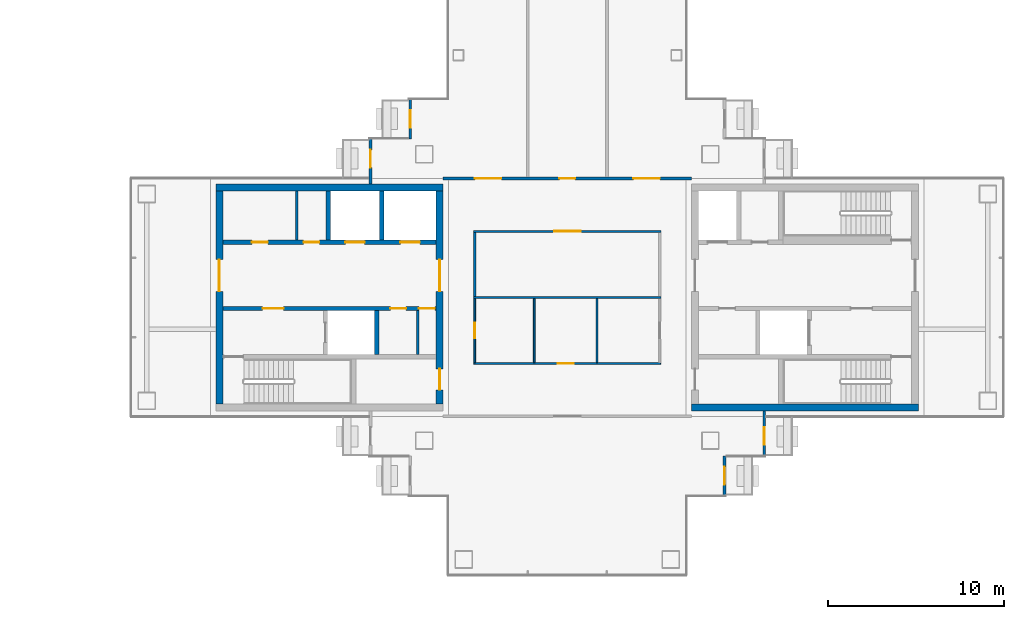
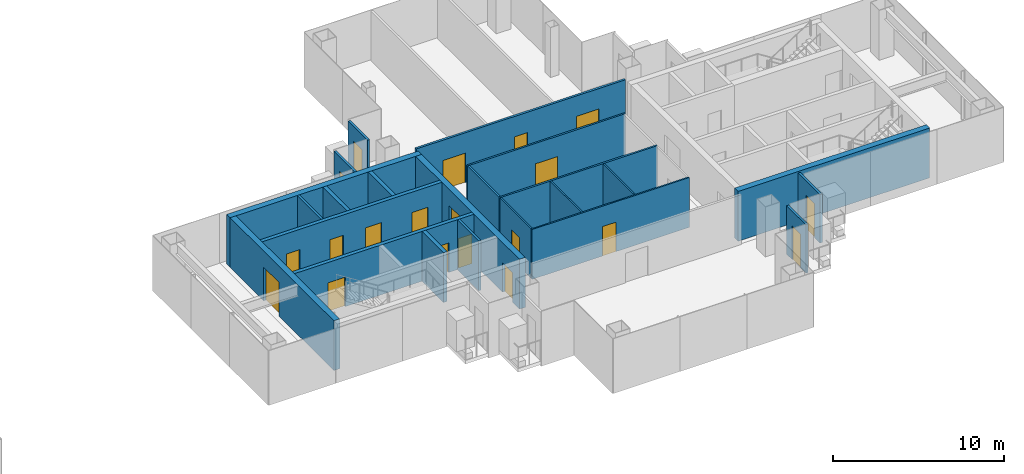
# One storey, part 11 of 16: 23 walls, 20 doors, 20 openings.
"""IFC4 building model written with IfcOpenShell, lengths in metres."""

from ifc_helpers import new_model, si_unit, direction, frame, frame_2d, origin, place, context, subcontext, project, spatial, rectangle, extrude, material, layer, layer_set, type_object, element, fill, save


model = new_model("IFC4")

# Units and contexts
model_context = context("Model", 3, precision=1e-05, world=origin(), true_north=direction((0.0, 1.0)))
body_context = subcontext(model_context, "Body", "Model", "MODEL_VIEW")
ifc_project = project(units=[si_unit("LENGTHUNIT", "METRE"), si_unit("AREAUNIT", "SQUARE_METRE"), si_unit("VOLUMEUNIT", "CUBIC_METRE"), si_unit("PLANEANGLEUNIT", "RADIAN"), si_unit("MASSUNIT", "GRAM", prefix="KILO")], contexts=[model_context])

# Site, building, storey
site_placement = place(None, origin())
site = spatial("IfcSite", under=ifc_project, at=site_placement, CompositionType="ELEMENT")
building_placement = place(site_placement, origin())
building = spatial("IfcBuilding", under=site, at=building_placement, Name="Shamsa Quay Exchange Towers", CompositionType="ELEMENT")
storey_placement = place(building_placement, frame((0.0, 0.0, 190.5)))
storey = spatial("IfcBuildingStorey", under=building, at=storey_placement, Name="L45", CompositionType="ELEMENT", Elevation=190.5)

# Wall, opening, door
ifc_material_1 = material(Name="Aluminium EN AW-6063 T6, black anodised, with black enamelled glass infill", Category="aluminium")
ifc_layer_1 = layer(ifc_material_1, 0.14990234375)
ifc_layer_set_1 = layer_set([ifc_layer_1], Name="BALCONY DOOR BAY WALL 150")
wall_type_1 = type_object("IfcWallType", Name="BALCONY DOOR BAY WALL 150", PredefinedType="SOLIDWALL", material=ifc_layer_set_1)
wall_1_placement = place(storey_placement, frame((24.824951171875, 9.0, 0.0), z_axis=(0.0, 0.0, 1.0), x_axis=(0.0, 1.0, 0.0)))
wall_1 = element("IfcWall", 1, at=wall_1_placement, inside=storey, type_object=wall_type_1, Name="Door bay T2-PKEN L45", PredefinedType="SOLIDWALL", context=body_context, shape_type="SweptSolid", body=[
    extrude(rectangle(XDim=2.25, YDim=0.14990234375, at=frame_2d((1.125, 0.0))), origin(), (0.0, 0.0, 1.0), 3.449951171875),
])
opening_1_placement = place(wall_1_placement, frame((0.625, 0.0, 0.0)))
opening_1 = element("IfcOpeningElement", 2, at=opening_1_placement, cuts=wall_1, Name="Opening XD289", PredefinedType="OPENING", context=body_context, shape_type="SweptSolid", body=[
    extrude(rectangle(XDim=1.0, YDim=2.39990234375, at=frame_2d((0.5, 1.199951171875))), frame((0.0, 0.0849609375, 0.0), z_axis=(0.0, -1.0, 0.0), x_axis=(1.0, 0.0, 0.0)), (0.0, 0.0, 1.0), 0.169921875),
])
ifc_material_2 = material(Name="Aluminium EN AW-6063 T6, black anodised, with laminated glass leaf", Category="aluminium")
door_type_1 = type_object("IfcDoorType", Name="BALCONY DOOR 1000x2400", OperationType="SINGLE_SWING_LEFT", PredefinedType="DOOR", material=ifc_material_2)
door_1_placement = place(opening_1_placement, origin())
door_1 = element("IfcDoor", 3, at=door_1_placement, inside=storey, type_object=door_type_1, Name="Balcony door T2-PKEN L45", OperationType="SINGLE_SWING_RIGHT", OverallHeight=2.39990234375, OverallWidth=1.0, PredefinedType="DOOR", context=body_context, shape_type="SweptSolid", body=[
    extrude(rectangle(XDim=1.0, YDim=2.39990234375, at=frame_2d((0.5, 1.199951171875))), frame((0.0, 0.02490234375, 0.0), z_axis=(0.0, -1.0, 0.0), x_axis=(1.0, 0.0, 0.0)), (0.0, 0.0, 1.0), 0.050048828125),
])
fill(opening_1, door_1)

wall_2_placement = place(storey_placement, frame((22.574951171875, 6.447998046875, 0.0), z_axis=(0.0, 0.0, 1.0), x_axis=(0.0, 1.0, 0.0)))
wall_2 = element("IfcWall", 4, at=wall_2_placement, inside=storey, type_object=wall_type_1, Name="Door bay T2-PKEN L45", PredefinedType="SOLIDWALL", context=body_context, shape_type="SweptSolid", body=[
    extrude(rectangle(XDim=2.552001953125, YDim=0.14990234375, at=frame_2d((1.27587890625, 0.0))), origin(), (0.0, 0.0, 1.0), 3.449951171875),
])
opening_2_placement = place(wall_2_placement, frame((0.927001953125, 0.0, 0.0)))
opening_2 = element("IfcOpeningElement", 5, at=opening_2_placement, cuts=wall_2, Name="Opening XD290", PredefinedType="OPENING", context=body_context, shape_type="SweptSolid", body=[
    extrude(rectangle(XDim=1.0, YDim=2.39990234375, at=frame_2d((0.5, 1.199951171875))), frame((0.0, 0.0849609375, 0.0), z_axis=(0.0, -1.0, 0.0), x_axis=(1.0, 0.0, 0.0)), (0.0, 0.0, 1.0), 0.169921875),
])
door_2_placement = place(opening_2_placement, origin())
door_2 = element("IfcDoor", 6, at=door_2_placement, inside=storey, type_object=door_type_1, Name="Balcony door T2-PKEN L45", OperationType="SINGLE_SWING_LEFT", OverallHeight=2.39990234375, OverallWidth=1.0, PredefinedType="DOOR", context=body_context, shape_type="SweptSolid", body=[
    extrude(rectangle(XDim=1.0, YDim=2.39990234375, at=frame_2d((0.5, 1.199951171875))), frame((0.0, 0.02490234375, 0.0), z_axis=(0.0, -1.0, 0.0), x_axis=(1.0, 0.0, 0.0)), (0.0, 0.0, 1.0), 0.050048828125),
])
fill(opening_2, door_2)

wall_3_placement = place(storey_placement, frame((42.675048828125, -9.0, 0.0), z_axis=(0.0, 0.0, 1.0), x_axis=(0.0, -1.0, 0.0)))
wall_3 = element("IfcWall", 7, at=wall_3_placement, inside=storey, type_object=wall_type_1, Name="Door bay T2-PKWS L45", PredefinedType="SOLIDWALL", context=body_context, shape_type="SweptSolid", body=[
    extrude(rectangle(XDim=2.25, YDim=0.14990234375, at=frame_2d((1.125, 0.0))), origin(), (0.0, 0.0, 1.0), 3.449951171875),
])
opening_3_placement = place(wall_3_placement, frame((0.625, 0.0, 0.0)))
opening_3 = element("IfcOpeningElement", 8, at=opening_3_placement, cuts=wall_3, Name="Opening XD295", PredefinedType="OPENING", context=body_context, shape_type="SweptSolid", body=[
    extrude(rectangle(XDim=1.0, YDim=2.39990234375, at=frame_2d((0.5, 1.199951171875))), frame((0.0, 0.0849609375, 0.0), z_axis=(0.0, -1.0, 0.0), x_axis=(1.0, 0.0, 0.0)), (0.0, 0.0, 1.0), 0.169921875),
])
door_3_placement = place(opening_3_placement, origin())
door_3 = element("IfcDoor", 9, at=door_3_placement, inside=storey, type_object=door_type_1, Name="Balcony door T2-PKWS L45", OperationType="SINGLE_SWING_LEFT", OverallHeight=2.39990234375, OverallWidth=1.0, PredefinedType="DOOR", context=body_context, shape_type="SweptSolid", body=[
    extrude(rectangle(XDim=1.0, YDim=2.39990234375, at=frame_2d((0.5, 1.199951171875))), frame((0.0, 0.02490234375, 0.0), z_axis=(0.0, -1.0, 0.0), x_axis=(1.0, 0.0, 0.0)), (0.0, 0.0, 1.0), 0.050048828125),
])
fill(opening_3, door_3)

wall_4_placement = place(storey_placement, frame((44.925048828125, -6.447998046875, 0.0), z_axis=(0.0, 0.0, 1.0), x_axis=(0.0, -1.0, 0.0)))
wall_4 = element("IfcWall", 10, at=wall_4_placement, inside=storey, type_object=wall_type_1, Name="Door bay T2-PKWS L45", PredefinedType="SOLIDWALL", context=body_context, shape_type="SweptSolid", body=[
    extrude(rectangle(XDim=2.552001953125, YDim=0.14990234375, at=frame_2d((1.27587890625, 0.0))), origin(), (0.0, 0.0, 1.0), 3.449951171875),
])
opening_4_placement = place(wall_4_placement, frame((0.927001953125, 0.0, 0.0)))
opening_4 = element("IfcOpeningElement", 11, at=opening_4_placement, cuts=wall_4, Name="Opening XD296", PredefinedType="OPENING", context=body_context, shape_type="SweptSolid", body=[
    extrude(rectangle(XDim=1.0, YDim=2.39990234375, at=frame_2d((0.5, 1.199951171875))), frame((0.0, 0.0849609375, 0.0), z_axis=(0.0, -1.0, 0.0), x_axis=(1.0, 0.0, 0.0)), (0.0, 0.0, 1.0), 0.169921875),
])
door_4_placement = place(opening_4_placement, origin())
door_4 = element("IfcDoor", 12, at=door_4_placement, inside=storey, type_object=door_type_1, Name="Balcony door T2-PKWS L45", OperationType="SINGLE_SWING_RIGHT", OverallHeight=2.39990234375, OverallWidth=1.0, PredefinedType="DOOR", context=body_context, shape_type="SweptSolid", body=[
    extrude(rectangle(XDim=1.0, YDim=2.39990234375, at=frame_2d((0.5, 1.199951171875))), frame((0.0, 0.02490234375, 0.0), z_axis=(0.0, -1.0, 0.0), x_axis=(1.0, 0.0, 0.0)), (0.0, 0.0, 1.0), 0.050048828125),
])
fill(opening_4, door_4)

# Wall
ifc_material_3 = material(Name="Concrete C60/75", Category="concrete")
ifc_layer_2 = layer(ifc_material_3, 0.39990234375)
ifc_layer_set_2 = layer_set([ifc_layer_2], Name="CORE WALL 400 C60/75")
wall_type_2 = type_object("IfcWallType", Name="CORE WALL 400 C60/75", PredefinedType="SHEAR", material=ifc_layer_set_2)
wall_5_placement = place(storey_placement, frame((13.800048828125, 6.25, 0.0)))
element("IfcWall", 13, at=wall_5_placement, inside=storey, type_object=wall_type_2, Name="Core wall T2A-R20-PN", PredefinedType="SHEAR", context=body_context, shape_type="SweptSolid", body=[
    extrude(rectangle(XDim=12.89990234375, YDim=0.39990234375, at=frame_2d((6.449951171875, 0.0))), origin(), (0.0, 0.0, 1.0), 3.550048828125),
])

# Wall, opening, door
wall_6_placement = place(storey_placement, frame((14.0, 6.050048828125, 0.0), z_axis=(0.0, 0.0, 1.0), x_axis=(0.0, -1.0, 0.0)))
wall_6 = element("IfcWall", 14, at=wall_6_placement, inside=storey, type_object=wall_type_2, Name="Core wall T2A-R20-PF", PredefinedType="SHEAR", context=body_context, shape_type="SweptSolid", body=[
    extrude(rectangle(XDim=12.10009765625, YDim=0.39990234375, at=frame_2d((6.050048828125, 0.0))), origin(), (0.0, 0.0, 1.0), 3.550048828125),
])
opening_5_placement = place(wall_6_placement, frame((3.89990234375, 0.0, 0.0)))
opening_5 = element("IfcOpeningElement", 15, at=opening_5_placement, cuts=wall_6, Name="Opening T2A-R20-LBD01", PredefinedType="OPENING", context=body_context, shape_type="SweptSolid", body=[
    extrude(rectangle(XDim=1.800048828125, YDim=2.39990234375, at=frame_2d((0.89990234375, 1.199951171875))), frame((0.0, 0.2099609375, 0.0), z_axis=(0.0, -1.0, 0.0), x_axis=(1.0, 0.0, 0.0)), (0.0, 0.0, 1.0), 0.419921875),
])
ifc_material_4 = material(Name="Steel, fire rated", Category="steel")
door_type_2 = type_object("IfcDoorType", Name="LIFT LOBBY DOOR PAIR 1800", OperationType="DOUBLE_DOOR_SINGLE_SWING", PredefinedType="DOOR", material=ifc_material_4)
door_5_placement = place(opening_5_placement, origin())
door_5 = element("IfcDoor", 16, at=door_5_placement, inside=storey, type_object=door_type_2, Name="T2A-R20-LBD01", OperationType="DOUBLE_DOOR_SINGLE_SWING", OverallHeight=2.39990234375, OverallWidth=1.800048828125, PredefinedType="DOOR", context=body_context, shape_type="SweptSolid", body=[
    extrude(rectangle(XDim=1.800048828125, YDim=2.39990234375, at=frame_2d((0.89990234375, 1.199951171875))), frame((0.0, 0.02490234375, 0.0), z_axis=(0.0, -1.0, 0.0), x_axis=(1.0, 0.0, 0.0)), (0.0, 0.0, 1.0), 0.050048828125),
])
fill(opening_5, door_5)

# Wall, openings, doors
wall_7_placement = place(storey_placement, frame((26.5, 6.050048828125, 0.0), z_axis=(0.0, 0.0, 1.0), x_axis=(0.0, -1.0, 0.0)))
wall_7 = element("IfcWall", 17, at=wall_7_placement, inside=storey, type_object=wall_type_2, Name="Core wall T2A-R20-PB", PredefinedType="SHEAR", context=body_context, shape_type="SweptSolid", body=[
    extrude(rectangle(XDim=12.10009765625, YDim=0.39990234375, at=frame_2d((6.050048828125, 0.0))), origin(), (0.0, 0.0, 1.0), 3.550048828125),
])
opening_6_placement = place(wall_7_placement, frame((10.10009765625, 0.0, 0.0)))
opening_6 = element("IfcOpeningElement", 18, at=opening_6_placement, cuts=wall_7, Name="Opening T2A-R20-RD02", PredefinedType="OPENING", context=body_context, shape_type="SweptSolid", body=[
    extrude(rectangle(XDim=1.199951171875, YDim=2.10009765625, at=frame_2d((0.60009765625, 1.050048828125))), frame((0.0, 0.2099609375, 0.0), z_axis=(0.0, -1.0, 0.0), x_axis=(1.0, 0.0, 0.0)), (0.0, 0.0, 1.0), 0.419921875),
])
opening_7_placement = place(wall_7_placement, frame((3.89990234375, 0.0, 0.0)))
opening_7 = element("IfcOpeningElement", 19, at=opening_7_placement, cuts=wall_7, Name="Opening T2A-R20-LBD03", PredefinedType="OPENING", context=body_context, shape_type="SweptSolid", body=[
    extrude(rectangle(XDim=1.800048828125, YDim=2.39990234375, at=frame_2d((0.89990234375, 1.199951171875))), frame((0.0, 0.2099609375, 0.0), z_axis=(0.0, -1.0, 0.0), x_axis=(1.0, 0.0, 0.0)), (0.0, 0.0, 1.0), 0.419921875),
])
door_6_placement = place(opening_7_placement, origin())
door_6 = element("IfcDoor", 20, at=door_6_placement, inside=storey, type_object=door_type_2, Name="T2A-R20-LBD03", OperationType="DOUBLE_DOOR_SINGLE_SWING", OverallHeight=2.39990234375, OverallWidth=1.800048828125, PredefinedType="DOOR", context=body_context, shape_type="SweptSolid", body=[
    extrude(rectangle(XDim=1.800048828125, YDim=2.39990234375, at=frame_2d((0.89990234375, 1.199951171875))), frame((0.0, 0.02490234375, 0.0), z_axis=(0.0, -1.0, 0.0), x_axis=(1.0, 0.0, 0.0)), (0.0, 0.0, 1.0), 0.050048828125),
])
fill(opening_7, door_6)
door_type_3 = type_object("IfcDoorType", Name="RISER ACCESS DOOR 1200", OperationType="SINGLE_SWING_LEFT", PredefinedType="DOOR", material=ifc_material_4)
door_7_placement = place(opening_6_placement, origin())
door_7 = element("IfcDoor", 21, at=door_7_placement, inside=storey, type_object=door_type_3, Name="T2A-R20-RD02", OperationType="SINGLE_SWING_RIGHT", OverallHeight=2.10009765625, OverallWidth=1.199951171875, PredefinedType="DOOR", context=body_context, shape_type="SweptSolid", body=[
    extrude(rectangle(XDim=1.199951171875, YDim=2.10009765625, at=frame_2d((0.60009765625, 1.050048828125))), frame((0.0, 0.02490234375, 0.0), z_axis=(0.0, -1.0, 0.0), x_axis=(1.0, 0.0, 0.0)), (0.0, 0.0, 1.0), 0.050048828125),
])
fill(opening_6, door_7)

# Walls
wall_8_placement = place(storey_placement, frame((53.699951171875, -6.25, 0.0), z_axis=(0.0, 0.0, 1.0), x_axis=(-1.0, 0.0, 0.0)))
element("IfcWall", 22, at=wall_8_placement, inside=storey, type_object=wall_type_2, Name="Core wall T2B-R20-PS", PredefinedType="SHEAR", context=body_context, shape_type="SweptSolid", body=[
    extrude(rectangle(XDim=12.89990234375, YDim=0.39990234375, at=frame_2d((6.449951171875, 0.0))), origin(), (0.0, 0.0, 1.0), 3.550048828125),
])
ifc_material_5 = material(Name="Gypsum board on steel studs, EI 60", Category="steel")
ifc_layer_3 = layer(ifc_material_5, 0.14990234375)
ifc_layer_set_3 = layer_set([ifc_layer_3], Name="FIRE PARTITION 150")
wall_type_3 = type_object("IfcWallType", Name="FIRE PARTITION 150", PredefinedType="PARTITIONING", material=ifc_layer_set_3)
wall_9_placement = place(storey_placement, frame((25.25, -3.25, 0.0), z_axis=(0.0, 0.0, 1.0), x_axis=(0.0, 1.0, 0.0)))
element("IfcWall", 23, at=wall_9_placement, inside=storey, type_object=wall_type_3, Name="Partition T2A-R20-EC0", PredefinedType="PARTITIONING", context=body_context, shape_type="SweptSolid", body=[
    extrude(rectangle(XDim=2.5, YDim=0.14990234375, at=frame_2d((1.25, 0.0))), origin(), (0.0, 0.0, 1.0), 3.550048828125),
])
wall_10_placement = place(storey_placement, frame((18.39990234375, 3.25, 0.0), z_axis=(0.0, 0.0, 1.0), x_axis=(0.0, 1.0, 0.0)))
element("IfcWall", 24, at=wall_10_placement, inside=storey, type_object=wall_type_3, Name="Partition T2A-R20-FC0", PredefinedType="PARTITIONING", context=body_context, shape_type="SweptSolid", body=[
    extrude(rectangle(XDim=2.800048828125, YDim=0.14990234375, at=frame_2d((1.39990234375, 0.0))), origin(), (0.0, 0.0, 1.0), 3.550048828125),
])
ifc_material_6 = material(Name="Laminated fire-resisting glass in a metal frame", Category="glass")
ifc_layer_4 = layer(ifc_material_6, 0.125)
ifc_layer_set_4 = layer_set([ifc_layer_4], Name="Glazed partition 125 mm EI 60")
wall_type_4 = type_object("IfcWallType", Name="Glazed partition 125 mm EI 60", PredefinedType="PARTITIONING", material=ifc_layer_set_4)
wall_11_placement = place(storey_placement, frame((28.5, 3.6875, 0.0), z_axis=(0.0, 0.0, 1.0), x_axis=(0.0, -1.0, 0.0)))
element("IfcWall", 25, at=wall_11_placement, inside=storey, type_object=wall_type_4, Name="Partition T2-R20-W05", PredefinedType="PARTITIONING", context=body_context, shape_type="SweptSolid", body=[
    extrude(rectangle(XDim=3.625, YDim=0.125, at=frame_2d((1.8125, 0.0))), origin(), (0.0, 0.0, 1.0), 3.550048828125),
])

# Wall, opening, door
wall_12_placement = place(storey_placement, frame((39.0625, 3.75, 0.0), z_axis=(0.0, 0.0, 1.0), x_axis=(-1.0, 0.0, 0.0)))
wall_12 = element("IfcWall", 26, at=wall_12_placement, inside=storey, type_object=wall_type_4, Name="Partition T2-R20-W06", PredefinedType="PARTITIONING", context=body_context, shape_type="SweptSolid", body=[
    extrude(rectangle(XDim=10.625, YDim=0.125, at=frame_2d((5.3125, 0.0))), origin(), (0.0, 0.0, 1.0), 3.550048828125),
])
opening_8_placement = place(wall_12_placement, frame((4.5625, 0.0, 0.0)))
opening_8 = element("IfcOpeningElement", 27, at=opening_8_placement, cuts=wall_12, Name="Opening T2-R20-D07", PredefinedType="OPENING", context=body_context, shape_type="SweptSolid", body=[
    extrude(rectangle(XDim=1.5, YDim=2.10009765625, at=frame_2d((0.75, 1.050048828125))), frame((0.0, 0.072509765625, 0.0), z_axis=(0.0, -1.0, 0.0), x_axis=(1.0, 0.0, 0.0)), (0.0, 0.0, 1.0), 0.14501953125),
])
ifc_material_7 = material(Name="Timber door leaf in a metal frame", Category="wood")
door_type_4 = type_object("IfcDoorType", Name="Door 1500x2100 FD30S pair", OperationType="NOTDEFINED", PredefinedType="DOOR", material=ifc_material_7)
door_8_placement = place(opening_8_placement, origin())
door_8 = element("IfcDoor", 28, at=door_8_placement, inside=storey, type_object=door_type_4, Name="Door T2-R20-D07", OperationType="DOUBLE_DOOR_SINGLE_SWING", OverallHeight=2.10009765625, OverallWidth=1.5, PredefinedType="DOOR", context=body_context, shape_type="SweptSolid", body=[
    extrude(rectangle(XDim=1.5, YDim=2.10009765625, at=frame_2d((0.75, 1.050048828125))), frame((0.0, 0.02490234375, 0.0), z_axis=(0.0, -1.0, 0.0), x_axis=(1.0, 0.0, 0.0)), (0.0, 0.0, 1.0), 0.050048828125),
])
fill(opening_8, door_8)

# Wall
wall_13_placement = place(storey_placement, frame((39.0625, 0.0, 0.0), z_axis=(0.0, 0.0, 1.0), x_axis=(-1.0, 0.0, 0.0)))
element("IfcWall", 29, at=wall_13_placement, inside=storey, type_object=wall_type_4, Name="Partition T2-R20-W10", PredefinedType="PARTITIONING", context=body_context, shape_type="SweptSolid", body=[
    extrude(rectangle(XDim=10.625, YDim=0.125, at=frame_2d((5.3125, 0.0))), origin(), (0.0, 0.0, 1.0), 3.550048828125),
])

# Wall, opening, door
ifc_material_8 = material(Name="Gypsum board partition on metal studs")
ifc_layer_5 = layer(ifc_material_8, 0.10009765625)
ifc_layer_set_5 = layer_set([ifc_layer_5], Name="Partition 100 mm NOT RATED")
wall_type_5 = type_object("IfcWallType", Name="Partition 100 mm NOT RATED", PredefinedType="PARTITIONING", material=ifc_layer_set_5)
wall_14_placement = place(storey_placement, frame((28.449951171875, -3.75, 0.0)))
wall_14 = element("IfcWall", 30, at=wall_14_placement, inside=storey, type_object=wall_type_5, Name="Partition T2-R20-W02", PredefinedType="PARTITIONING", context=body_context, shape_type="SweptSolid", body=[
    extrude(rectangle(XDim=10.60009765625, YDim=0.10009765625, at=frame_2d((5.300048828125, 0.0))), origin(), (0.0, 0.0, 1.0), 3.550048828125),
])
opening_9_placement = place(wall_14_placement, frame((4.756103515625, 0.0, 0.0)))
opening_9 = element("IfcOpeningElement", 31, at=opening_9_placement, cuts=wall_14, Name="Opening T2-R20-D04", PredefinedType="OPENING", context=body_context, shape_type="SweptSolid", body=[
    extrude(rectangle(XDim=0.89990234375, YDim=2.10009765625, at=frame_2d((0.449951171875, 1.050048828125))), frame((0.0, 0.06005859375, 0.0), z_axis=(0.0, -1.0, 0.0), x_axis=(1.0, 0.0, 0.0)), (0.0, 0.0, 1.0), 0.1201171875),
])
door_type_5 = type_object("IfcDoorType", Name="Door 900x2100 NOT RATED", OperationType="NOTDEFINED", PredefinedType="DOOR", material=ifc_material_7)
door_9_placement = place(opening_9_placement, origin())
door_9 = element("IfcDoor", 32, at=door_9_placement, inside=storey, type_object=door_type_5, Name="Door T2-R20-D04", OperationType="SINGLE_SWING_LEFT", OverallHeight=2.10009765625, OverallWidth=0.89990234375, PredefinedType="DOOR", context=body_context, shape_type="SweptSolid", body=[
    extrude(rectangle(XDim=0.89990234375, YDim=2.10009765625, at=frame_2d((0.449951171875, 1.050048828125))), frame((0.0, 0.02490234375, 0.0), z_axis=(0.0, -1.0, 0.0), x_axis=(1.0, 0.0, 0.0)), (0.0, 0.0, 1.0), 0.050048828125),
])
fill(opening_9, door_9)

wall_15_placement = place(storey_placement, frame((28.5, -0.0625, 0.0), z_axis=(0.0, 0.0, 1.0), x_axis=(0.0, -1.0, 0.0)))
wall_15 = element("IfcWall", 33, at=wall_15_placement, inside=storey, type_object=wall_type_5, Name="Partition T2-R20-W03", PredefinedType="PARTITIONING", context=body_context, shape_type="SweptSolid", body=[
    extrude(rectangle(XDim=3.637451171875, YDim=0.10009765625, at=frame_2d((1.81884765625, 0.0))), origin(), (0.0, 0.0, 1.0), 3.550048828125),
])
opening_10_placement = place(wall_15_placement, frame((1.362548828125, 0.0, 0.0)))
opening_10 = element("IfcOpeningElement", 34, at=opening_10_placement, cuts=wall_15, Name="Opening T2-R20-D06", PredefinedType="OPENING", context=body_context, shape_type="SweptSolid", body=[
    extrude(rectangle(XDim=0.89990234375, YDim=2.10009765625, at=frame_2d((0.449951171875, 1.050048828125))), frame((0.0, 0.06005859375, 0.0), z_axis=(0.0, -1.0, 0.0), x_axis=(1.0, 0.0, 0.0)), (0.0, 0.0, 1.0), 0.1201171875),
])
door_10_placement = place(opening_10_placement, origin())
door_10 = element("IfcDoor", 35, at=door_10_placement, inside=storey, type_object=door_type_5, Name="Door T2-R20-D06", OperationType="SINGLE_SWING_RIGHT", OverallHeight=2.10009765625, OverallWidth=0.89990234375, PredefinedType="DOOR", context=body_context, shape_type="SweptSolid", body=[
    extrude(rectangle(XDim=0.89990234375, YDim=2.10009765625, at=frame_2d((0.449951171875, 1.050048828125))), frame((0.0, 0.02490234375, 0.0), z_axis=(0.0, -1.0, 0.0), x_axis=(1.0, 0.0, 0.0)), (0.0, 0.0, 1.0), 0.050048828125),
])
fill(opening_10, door_10)

# Walls
for number, where, z_axis, x_axis, name in (
    (36, (35.4375, -0.0625, 0.0), (0.0, 0.0, 1.0), (0.0, -1.0, 0.0), "Partition T2-R20-W09"),
    (37, (31.875, -0.0625, 0.0), (0.0, 0.0, 1.0), (0.0, -1.0, 0.0), "Partition T2-R20-W11"),
):
    element("IfcWall", number, at=place(storey_placement, frame(where, z_axis=z_axis, x_axis=x_axis)), inside=storey, type_object=wall_type_5, Name=name, PredefinedType="PARTITIONING", context=body_context, shape_type="SweptSolid", body=[
        extrude(rectangle(XDim=3.637451171875, YDim=0.10009765625, at=frame_2d((1.81884765625, 0.0))), origin(), (0.0, 0.0, 1.0), 3.550048828125),
    ])

# Wall, openings, doors
ifc_layer_6 = layer(ifc_material_8, 0.14990234375)
ifc_layer_set_6 = layer_set([ifc_layer_6], Name="Partition 150 mm EI 60")
wall_type_6 = type_object("IfcWallType", Name="Partition 150 mm EI 60", PredefinedType="PARTITIONING", material=ifc_layer_set_6)
wall_16_placement = place(storey_placement, frame((26.699951171875, 6.75, 0.0)))
wall_16 = element("IfcWall", 38, at=wall_16_placement, inside=storey, type_object=wall_type_6, Name="Partition T2-R20-W07", PredefinedType="PARTITIONING", context=body_context, shape_type="SweptSolid", body=[
    extrude(rectangle(XDim=14.10009765625, YDim=0.14990234375, at=frame_2d((7.050048828125, 0.0))), origin(), (0.0, 0.0, 1.0), 3.550048828125),
])
opening_11_placement = place(wall_16_placement, frame((10.800048828125, 0.0, 0.0)))
opening_11 = element("IfcOpeningElement", 39, at=opening_11_placement, cuts=wall_16, Name="Opening T2-R20-D01", PredefinedType="OPENING", context=body_context, shape_type="SweptSolid", body=[
    extrude(rectangle(XDim=1.5, YDim=2.10009765625, at=frame_2d((0.75, 1.050048828125))), frame((0.0, 0.0849609375, 0.0), z_axis=(0.0, -1.0, 0.0), x_axis=(1.0, 0.0, 0.0)), (0.0, 0.0, 1.0), 0.169921875),
])
opening_12_placement = place(wall_16_placement, frame((6.60009765625, 0.0, 0.0)))
opening_12 = element("IfcOpeningElement", 40, at=opening_12_placement, cuts=wall_16, Name="Opening T2-R20-D02", PredefinedType="OPENING", context=body_context, shape_type="SweptSolid", body=[
    extrude(rectangle(XDim=0.89990234375, YDim=2.10009765625, at=frame_2d((0.449951171875, 1.050048828125))), frame((0.0, 0.0849609375, 0.0), z_axis=(0.0, -1.0, 0.0), x_axis=(1.0, 0.0, 0.0)), (0.0, 0.0, 1.0), 0.169921875),
])
opening_13_placement = place(wall_16_placement, frame((1.800048828125, 0.0, 0.0)))
opening_13 = element("IfcOpeningElement", 41, at=opening_13_placement, cuts=wall_16, Name="Opening T2-R20-D03", PredefinedType="OPENING", context=body_context, shape_type="SweptSolid", body=[
    extrude(rectangle(XDim=1.5, YDim=2.10009765625, at=frame_2d((0.75, 1.050048828125))), frame((0.0, 0.0849609375, 0.0), z_axis=(0.0, -1.0, 0.0), x_axis=(1.0, 0.0, 0.0)), (0.0, 0.0, 1.0), 0.169921875),
])
door_11_placement = place(opening_11_placement, origin())
door_11 = element("IfcDoor", 42, at=door_11_placement, inside=storey, type_object=door_type_4, Name="Door T2-R20-D01", OperationType="DOUBLE_DOOR_SINGLE_SWING", OverallHeight=2.10009765625, OverallWidth=1.5, PredefinedType="DOOR", context=body_context, shape_type="SweptSolid", body=[
    extrude(rectangle(XDim=1.5, YDim=2.10009765625, at=frame_2d((0.75, 1.050048828125))), frame((0.0, 0.02490234375, 0.0), z_axis=(0.0, -1.0, 0.0), x_axis=(1.0, 0.0, 0.0)), (0.0, 0.0, 1.0), 0.050048828125),
])
fill(opening_11, door_11)
door_12_placement = place(opening_13_placement, origin())
door_12 = element("IfcDoor", 43, at=door_12_placement, inside=storey, type_object=door_type_4, Name="Door T2-R20-D03", OperationType="DOUBLE_DOOR_SINGLE_SWING", OverallHeight=2.10009765625, OverallWidth=1.5, PredefinedType="DOOR", context=body_context, shape_type="SweptSolid", body=[
    extrude(rectangle(XDim=1.5, YDim=2.10009765625, at=frame_2d((0.75, 1.050048828125))), frame((0.0, 0.02490234375, 0.0), z_axis=(0.0, -1.0, 0.0), x_axis=(1.0, 0.0, 0.0)), (0.0, 0.0, 1.0), 0.050048828125),
])
fill(opening_13, door_12)
door_type_6 = type_object("IfcDoorType", Name="Door 900x2100 FD30S", OperationType="NOTDEFINED", PredefinedType="DOOR", material=ifc_material_7)
door_13_placement = place(opening_12_placement, origin())
door_13 = element("IfcDoor", 44, at=door_13_placement, inside=storey, type_object=door_type_6, Name="Door T2-R20-D02", OperationType="SINGLE_SWING_LEFT", OverallHeight=2.10009765625, OverallWidth=0.89990234375, PredefinedType="DOOR", context=body_context, shape_type="SweptSolid", body=[
    extrude(rectangle(XDim=0.89990234375, YDim=2.10009765625, at=frame_2d((0.449951171875, 1.050048828125))), frame((0.0, 0.02490234375, 0.0), z_axis=(0.0, -1.0, 0.0), x_axis=(1.0, 0.0, 0.0)), (0.0, 0.0, 1.0), 0.050048828125),
])
fill(opening_12, door_13)

ifc_material_9 = material(Name="Concrete C50/60", Category="concrete")
ifc_layer_7 = layer(ifc_material_9, 0.25)
ifc_layer_set_7 = layer_set([ifc_layer_7], Name="SHAFT WALL 250 C50/60")
wall_type_7 = type_object("IfcWallType", Name="SHAFT WALL 250 C50/60", PredefinedType="SHEAR", material=ifc_layer_set_7)
wall_17_placement = place(storey_placement, frame((26.300048828125, -0.625, 0.0), z_axis=(0.0, 0.0, 1.0), x_axis=(-1.0, 0.0, 0.0)))
wall_17 = element("IfcWall", 45, at=wall_17_placement, inside=storey, type_object=wall_type_7, Name="Shaft wall T2A-R20-B", PredefinedType="SHEAR", context=body_context, shape_type="SweptSolid", body=[
    extrude(rectangle(XDim=12.10009765625, YDim=0.25, at=frame_2d((6.050048828125, 0.0))), origin(), (0.0, 0.0, 1.0), 3.550048828125),
])
opening_14_placement = place(wall_17_placement, frame((8.64990234375, 0.0, 0.0)))
opening_14 = element("IfcOpeningElement", 46, at=opening_14_placement, cuts=wall_17, Name="Opening T2A-R20-FD05", PredefinedType="OPENING", context=body_context, shape_type="SweptSolid", body=[
    extrude(rectangle(XDim=1.199951171875, YDim=2.10009765625, at=frame_2d((0.60009765625, 1.050048828125))), frame((0.0, 0.135009765625, 0.0), z_axis=(0.0, -1.0, 0.0), x_axis=(1.0, 0.0, 0.0)), (0.0, 0.0, 1.0), 0.27001953125),
])
opening_15_placement = place(wall_17_placement, frame((1.699951171875, 0.0, 0.0)))
opening_15 = element("IfcOpeningElement", 47, at=opening_15_placement, cuts=wall_17, Name="Opening T2A-R20-SV06", PredefinedType="OPENING", context=body_context, shape_type="SweptSolid", body=[
    extrude(rectangle(XDim=0.89990234375, YDim=2.10009765625, at=frame_2d((0.449951171875, 1.050048828125))), frame((0.0, 0.135009765625, 0.0), z_axis=(0.0, -1.0, 0.0), x_axis=(1.0, 0.0, 0.0)), (0.0, 0.0, 1.0), 0.27001953125),
])
opening_16_placement = place(wall_17_placement, frame((0.074951171875, 0.0, 0.0)))
opening_16 = element("IfcOpeningElement", 48, at=opening_16_placement, cuts=wall_17, Name="Opening T2A-R20-SV07", PredefinedType="OPENING", context=body_context, shape_type="SweptSolid", body=[
    extrude(rectangle(XDim=0.89990234375, YDim=2.10009765625, at=frame_2d((0.449951171875, 1.050048828125))), frame((0.0, 0.135009765625, 0.0), z_axis=(0.0, -1.0, 0.0), x_axis=(1.0, 0.0, 0.0)), (0.0, 0.0, 1.0), 0.27001953125),
])
door_type_7 = type_object("IfcDoorType", Name="FIRE SERVICE LOBBY DOOR 1200", OperationType="SINGLE_SWING_LEFT", PredefinedType="DOOR", material=ifc_material_4)
door_14_placement = place(opening_14_placement, origin())
door_14 = element("IfcDoor", 49, at=door_14_placement, inside=storey, type_object=door_type_7, Name="T2A-R20-FD05", OperationType="SINGLE_SWING_RIGHT", OverallHeight=2.10009765625, OverallWidth=1.199951171875, PredefinedType="DOOR", context=body_context, shape_type="SweptSolid", body=[
    extrude(rectangle(XDim=1.199951171875, YDim=2.10009765625, at=frame_2d((0.60009765625, 1.050048828125))), frame((0.0, 0.02490234375, 0.0), z_axis=(0.0, -1.0, 0.0), x_axis=(1.0, 0.0, 0.0)), (0.0, 0.0, 1.0), 0.050048828125),
])
fill(opening_14, door_14)
door_type_8 = type_object("IfcDoorType", Name="SERVICE ROOM DOOR 900", OperationType="SINGLE_SWING_LEFT", PredefinedType="DOOR", material=ifc_material_4)
door_15_placement = place(opening_15_placement, origin())
door_15 = element("IfcDoor", 50, at=door_15_placement, inside=storey, type_object=door_type_8, Name="T2A-R20-SV06", OperationType="SINGLE_SWING_LEFT", OverallHeight=2.10009765625, OverallWidth=0.89990234375, PredefinedType="DOOR", context=body_context, shape_type="SweptSolid", body=[
    extrude(rectangle(XDim=0.89990234375, YDim=2.10009765625, at=frame_2d((0.449951171875, 1.050048828125))), frame((0.0, 0.02490234375, 0.0), z_axis=(0.0, -1.0, 0.0), x_axis=(1.0, 0.0, 0.0)), (0.0, 0.0, 1.0), 0.050048828125),
])
fill(opening_15, door_15)
door_16_placement = place(opening_16_placement, origin())
door_16 = element("IfcDoor", 51, at=door_16_placement, inside=storey, type_object=door_type_8, Name="T2A-R20-SV07", OperationType="SINGLE_SWING_LEFT", OverallHeight=2.10009765625, OverallWidth=0.89990234375, PredefinedType="DOOR", context=body_context, shape_type="SweptSolid", body=[
    extrude(rectangle(XDim=0.89990234375, YDim=2.10009765625, at=frame_2d((0.449951171875, 1.050048828125))), frame((0.0, 0.02490234375, 0.0), z_axis=(0.0, -1.0, 0.0), x_axis=(1.0, 0.0, 0.0)), (0.0, 0.0, 1.0), 0.050048828125),
])
fill(opening_16, door_16)

# Wall
wall_18_placement = place(storey_placement, frame((22.925048828125, -3.25, 0.0), z_axis=(0.0, 0.0, 1.0), x_axis=(0.0, 1.0, 0.0)))
element("IfcWall", 52, at=wall_18_placement, inside=storey, type_object=wall_type_7, Name="Shaft wall T2A-R20-FFB", PredefinedType="SHEAR", context=body_context, shape_type="SweptSolid", body=[
    extrude(rectangle(XDim=2.5, YDim=0.25, at=frame_2d((1.25, 0.0))), origin(), (0.0, 0.0, 1.0), 3.550048828125),
])

# Wall, openings, doors
wall_19_placement = place(storey_placement, frame((14.199951171875, 3.125, 0.0)))
wall_19 = element("IfcWall", 53, at=wall_19_placement, inside=storey, type_object=wall_type_7, Name="Shaft wall T2A-R20-N", PredefinedType="SHEAR", context=body_context, shape_type="SweptSolid", body=[
    extrude(rectangle(XDim=12.10009765625, YDim=0.25, at=frame_2d((6.050048828125, 0.0))), origin(), (0.0, 0.0, 1.0), 3.550048828125),
])
opening_17_placement = place(wall_19_placement, frame((6.949951171875, 0.0, 0.0)))
opening_17 = element("IfcOpeningElement", 54, at=opening_17_placement, cuts=wall_19, Name="Opening T2A-R20-LD09", PredefinedType="OPENING", context=body_context, shape_type="SweptSolid", body=[
    extrude(rectangle(XDim=1.10009765625, YDim=2.10009765625, at=frame_2d((0.550048828125, 1.050048828125))), frame((0.0, 0.135009765625, 0.0), z_axis=(0.0, -1.0, 0.0), x_axis=(1.0, 0.0, 0.0)), (0.0, 0.0, 1.0), 0.27001953125),
])
opening_18_placement = place(wall_19_placement, frame((10.074951171875, 0.0, 0.0)))
opening_18 = element("IfcOpeningElement", 55, at=opening_18_placement, cuts=wall_19, Name="Opening T2A-R20-LD10", PredefinedType="OPENING", context=body_context, shape_type="SweptSolid", body=[
    extrude(rectangle(XDim=1.10009765625, YDim=2.10009765625, at=frame_2d((0.550048828125, 1.050048828125))), frame((0.0, 0.135009765625, 0.0), z_axis=(0.0, -1.0, 0.0), x_axis=(1.0, 0.0, 0.0)), (0.0, 0.0, 1.0), 0.27001953125),
])
opening_19_placement = place(wall_19_placement, frame((1.64990234375, 0.0, 0.0)))
opening_19 = element("IfcOpeningElement", 56, at=opening_19_placement, cuts=wall_19, Name="Opening T2A-R20-SV11", PredefinedType="OPENING", context=body_context, shape_type="SweptSolid", body=[
    extrude(rectangle(XDim=0.89990234375, YDim=2.10009765625, at=frame_2d((0.449951171875, 1.050048828125))), frame((0.0, 0.135009765625, 0.0), z_axis=(0.0, -1.0, 0.0), x_axis=(1.0, 0.0, 0.0)), (0.0, 0.0, 1.0), 0.27001953125),
])
opening_20_placement = place(wall_19_placement, frame((4.574951171875, 0.0, 0.0)))
opening_20 = element("IfcOpeningElement", 57, at=opening_20_placement, cuts=wall_19, Name="Opening T2A-R20-SV12", PredefinedType="OPENING", context=body_context, shape_type="SweptSolid", body=[
    extrude(rectangle(XDim=0.89990234375, YDim=2.10009765625, at=frame_2d((0.449951171875, 1.050048828125))), frame((0.0, 0.135009765625, 0.0), z_axis=(0.0, -1.0, 0.0), x_axis=(1.0, 0.0, 0.0)), (0.0, 0.0, 1.0), 0.27001953125),
])
door_type_9 = type_object("IfcDoorType", Name="LANDING DOOR 1100", OperationType="SLIDING_TO_LEFT", PredefinedType="DOOR", material=ifc_material_4)
door_17_placement = place(opening_17_placement, origin())
door_17 = element("IfcDoor", 58, at=door_17_placement, inside=storey, type_object=door_type_9, Name="T2A-R20-LD09", OperationType="SLIDING_TO_LEFT", OverallHeight=2.10009765625, OverallWidth=1.10009765625, PredefinedType="DOOR", context=body_context, shape_type="SweptSolid", body=[
    extrude(rectangle(XDim=1.10009765625, YDim=2.10009765625, at=frame_2d((0.550048828125, 1.050048828125))), frame((0.0, 0.02490234375, 0.0), z_axis=(0.0, -1.0, 0.0), x_axis=(1.0, 0.0, 0.0)), (0.0, 0.0, 1.0), 0.050048828125),
])
fill(opening_17, door_17)
door_18_placement = place(opening_18_placement, origin())
door_18 = element("IfcDoor", 59, at=door_18_placement, inside=storey, type_object=door_type_9, Name="T2A-R20-LD10", OperationType="SLIDING_TO_LEFT", OverallHeight=2.10009765625, OverallWidth=1.10009765625, PredefinedType="DOOR", context=body_context, shape_type="SweptSolid", body=[
    extrude(rectangle(XDim=1.10009765625, YDim=2.10009765625, at=frame_2d((0.550048828125, 1.050048828125))), frame((0.0, 0.02490234375, 0.0), z_axis=(0.0, -1.0, 0.0), x_axis=(1.0, 0.0, 0.0)), (0.0, 0.0, 1.0), 0.050048828125),
])
fill(opening_18, door_18)
door_19_placement = place(opening_19_placement, origin())
door_19 = element("IfcDoor", 60, at=door_19_placement, inside=storey, type_object=door_type_8, Name="T2A-R20-SV11", OperationType="SINGLE_SWING_LEFT", OverallHeight=2.10009765625, OverallWidth=0.89990234375, PredefinedType="DOOR", context=body_context, shape_type="SweptSolid", body=[
    extrude(rectangle(XDim=0.89990234375, YDim=2.10009765625, at=frame_2d((0.449951171875, 1.050048828125))), frame((0.0, 0.02490234375, 0.0), z_axis=(0.0, -1.0, 0.0), x_axis=(1.0, 0.0, 0.0)), (0.0, 0.0, 1.0), 0.050048828125),
])
fill(opening_19, door_19)
door_20_placement = place(opening_20_placement, origin())
door_20 = element("IfcDoor", 61, at=door_20_placement, inside=storey, type_object=door_type_8, Name="T2A-R20-SV12", OperationType="SINGLE_SWING_LEFT", OverallHeight=2.10009765625, OverallWidth=0.89990234375, PredefinedType="DOOR", context=body_context, shape_type="SweptSolid", body=[
    extrude(rectangle(XDim=0.89990234375, YDim=2.10009765625, at=frame_2d((0.449951171875, 1.050048828125))), frame((0.0, 0.02490234375, 0.0), z_axis=(0.0, -1.0, 0.0), x_axis=(1.0, 0.0, 0.0)), (0.0, 0.0, 1.0), 0.050048828125),
])
fill(opening_20, door_20)

# Walls
for number, where, z_axis, x_axis, name in (
    (62, (20.175048828125, 3.25, 0.0), (0.0, 0.0, 1.0), (0.0, 1.0, 0.0), "Shaft wall T2A-R20-D1"),
    (63, (23.22509765625, 3.25, 0.0), (0.0, 0.0, 1.0), (0.0, 1.0, 0.0), "Shaft wall T2A-R20-D2"),
):
    element("IfcWall", number, at=place(storey_placement, frame(where, z_axis=z_axis, x_axis=x_axis)), inside=storey, type_object=wall_type_7, Name=name, PredefinedType="SHEAR", context=body_context, shape_type="SweptSolid", body=[
        extrude(rectangle(XDim=2.800048828125, YDim=0.25, at=frame_2d((1.39990234375, 0.0))), origin(), (0.0, 0.0, 1.0), 3.550048828125),
    ])

save(model, "model.ifc")
